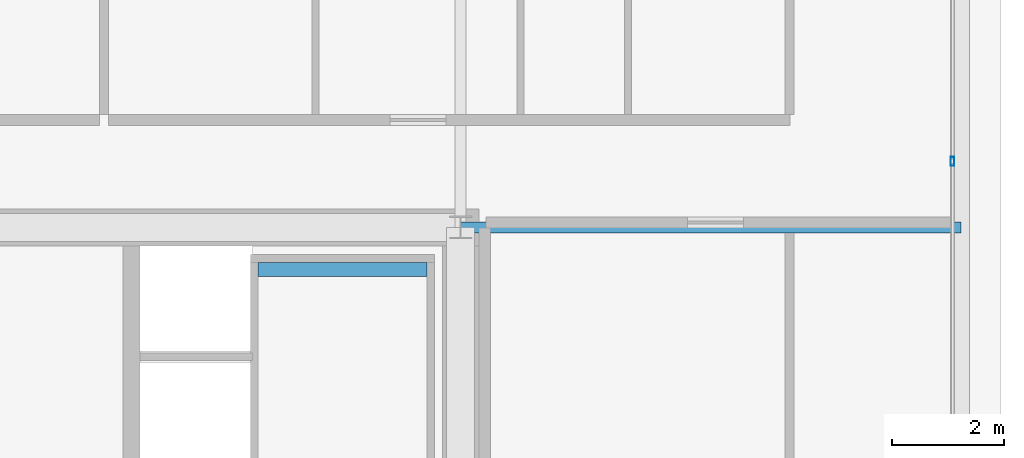
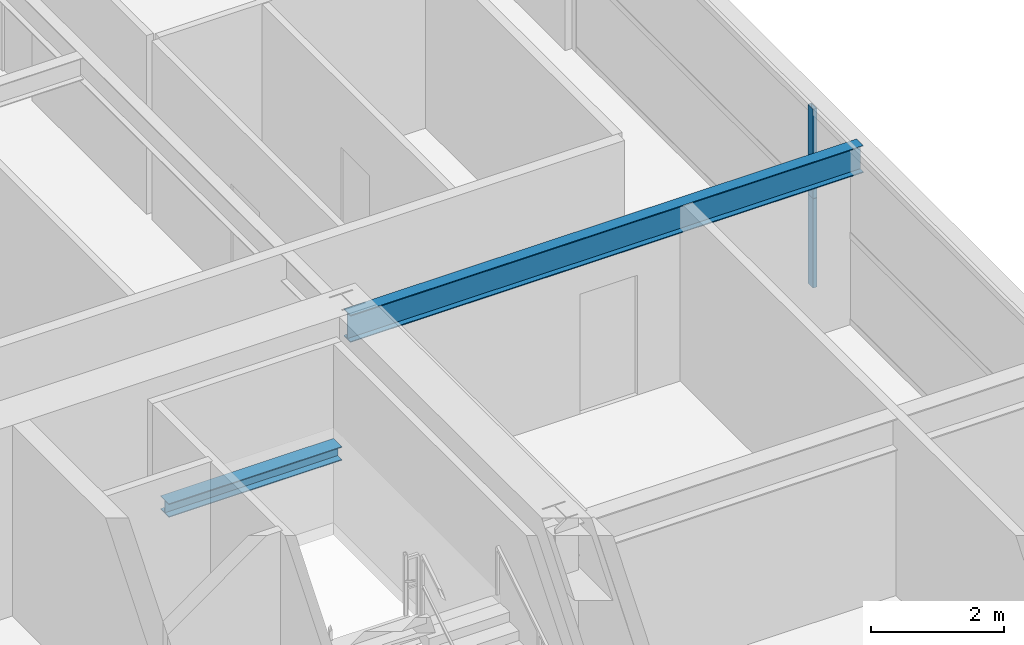
# One storey, part 21 of 38: 2 beams, 2 members, 1 element without a shape of its own.
"""IFC4 building model written with IfcOpenShell, lengths in metres."""

import ifcopenshell
import ifcopenshell.guid

model = None  # the IFC model being written
_history = None  # IfcOwnerHistory: only IFC2X3 demands one
_inside = {}  # id of a spatial element -> (the spatial element, [elements in it])
_under = {}  # id of a project, library or spatial element -> (it, [spatial elements below it])
_declared = {}  # id of a project -> (the project, [libraries it declares])
_typed = {}  # id of a type object -> (the type object, [elements of that type])
_made_of = {}  # id of a material, layer set ... -> (it, [elements and type objects made of it])


def new_model(schema):
    """Start an empty IFC model of exactly this schema.

    Asked for "IFC4X3", IfcOpenShell would pick the latest addendum, in which some entities
    have other attributes; the version numbers below select the first issue.
    IFC2X3 requires an IfcOwnerHistory on every rooted entity: one is made here for all.
    """
    global model, _history
    if schema == "IFC4X3":
        model = ifcopenshell.file(schema_version=(4, 3, 0, 0))
    else:
        model = ifcopenshell.file(schema=schema)
    _inside.clear()
    _under.clear()
    _declared.clear()
    _typed.clear()
    _made_of.clear()
    _history = None
    if model.schema == "IFC2X3":
        org = make("IfcOrganization", Name="unknown")
        user = make(
            "IfcPersonAndOrganization",
            ThePerson=make("IfcPerson", FamilyName="unknown"),
            TheOrganization=org,
        )
        app = make(
            "IfcApplication",
            ApplicationDeveloper=org,
            Version="unknown",
            ApplicationFullName="unknown",
            ApplicationIdentifier="unknown",
        )
        _history = make(
            "IfcOwnerHistory",
            OwningUser=user,
            OwningApplication=app,
            ChangeAction="ADDED",
            CreationDate=0,
        )
    return model


def make(cls, **values):
    """One entity of the class cls with the attributes given. An attribute that is None is left unset."""
    return model.create_entity(
        cls, **{name: value for name, value in values.items() if value is not None}
    )


def rooted(cls, **values):
    """An entity with a GlobalId (a new one), such as an element, a storey or a relation."""
    return make(cls, GlobalId=ifcopenshell.guid.new(), OwnerHistory=_history, **values)


def si_unit(unit_type, name, prefix=None):
    """IfcSIUnit, for example si_unit("LENGTHUNIT", "METRE", prefix="MILLI")."""
    return make("IfcSIUnit", UnitType=unit_type, Prefix=prefix, Name=name)


def assignment(units):
    """IfcUnitAssignment: the units of a project."""
    return None if units is None else make("IfcUnitAssignment", Units=units)


def point(xyz):
    """IfcCartesianPoint."""
    return None if xyz is None else make("IfcCartesianPoint", Coordinates=xyz)


def direction(xyz):
    """IfcDirection."""
    return None if xyz is None else make("IfcDirection", DirectionRatios=xyz)


def frame(location, z_axis=None, x_axis=None):
    """IfcAxis2Placement3D, a coordinate frame: its origin and axes. An axis left out is left unset."""
    return make(
        "IfcAxis2Placement3D",
        Location=point(location),
        Axis=direction(z_axis),
        RefDirection=direction(x_axis),
    )


def frame_2d(location, x_axis=None):
    """IfcAxis2Placement2D, a coordinate frame in the plane: its origin and x axis."""
    return make(
        "IfcAxis2Placement2D", Location=point(location), RefDirection=direction(x_axis)
    )


def origin():
    """The frame at (0, 0, 0) with its axes left unset."""
    return frame((0.0, 0.0, 0.0))


def origin_2d():
    """The frame at (0, 0) in the plane with its x axis left unset."""
    return frame_2d((0.0, 0.0))


def place(relative_to, where):
    """IfcLocalPlacement: puts the frame where relative to a parent placement (None: the world)."""
    return make(
        "IfcLocalPlacement", PlacementRelTo=relative_to, RelativePlacement=where
    )


def context(
    kind, dimensions, precision=None, world=None, true_north=None, identifier=None
):
    """IfcGeometricRepresentationContext, for example the 3D "Model" context."""
    return make(
        "IfcGeometricRepresentationContext",
        ContextIdentifier=identifier,
        ContextType=kind,
        CoordinateSpaceDimension=dimensions,
        Precision=precision,
        WorldCoordinateSystem=world,
        TrueNorth=true_north,
    )


def subcontext(parent, identifier, kind, view, scale=None):
    """IfcGeometricRepresentationSubContext, for example "Body" below "Model"."""
    return make(
        "IfcGeometricRepresentationSubContext",
        ContextIdentifier=identifier,
        ContextType=kind,
        ParentContext=parent,
        TargetScale=scale,
        TargetView=view,
    )


def project(units=None, contexts=None):
    """IfcProject with its units and contexts."""
    return rooted(
        "IfcProject",
        Name="project",
        RepresentationContexts=contexts,
        UnitsInContext=assignment(units),
    )


def spatial(cls, under=None, at=None, **own):
    """A site, building, storey or space (cls), placed at a placement, below another one or the project."""
    s = rooted(cls, ObjectPlacement=at, **own)
    if under is not None:
        _under.setdefault(under.id(), (under, []))[1].append(s)
    return s


def profile(cls, at=None, kind="AREA", **sizes):
    """A parametric profile (cls). Its sizes go by their IFC names, for example OverallWidth=200.0."""
    return make(cls, ProfileType=kind, Position=at, **sizes)


def hollow_rectangle(**sizes):
    """IfcRectangleHollowProfileDef."""
    return profile("IfcRectangleHollowProfileDef", **sizes)


def i_section(**sizes):
    """IfcIShapeProfileDef."""
    return profile("IfcIShapeProfileDef", **sizes)


def extrude(swept, where, along, depth):
    """IfcExtrudedAreaSolid: the profile swept, set in the frame where, extruded along a direction by depth."""
    return make(
        "IfcExtrudedAreaSolid",
        SweptArea=swept,
        Position=where,
        ExtrudedDirection=direction(along),
        Depth=depth,
    )


def shape(context_of_items, identifier, shape_type, items):
    """IfcShapeRepresentation: the items that make up one representation, for example the "Body"."""
    return make(
        "IfcShapeRepresentation",
        ContextOfItems=context_of_items,
        RepresentationIdentifier=identifier,
        RepresentationType=shape_type,
        Items=items,
    )


def source(mapping_origin, context_of_items, identifier, shape_type, items):
    """IfcRepresentationMap: a shape defined once, which mapped items show again and again."""
    return make(
        "IfcRepresentationMap",
        MappingOrigin=mapping_origin,
        MappedRepresentation=shape(context_of_items, identifier, shape_type, items),
    )


def transform(
    local_origin,
    x_axis=None,
    y_axis=None,
    z_axis=None,
    scale=None,
    scale2=None,
    scale3=None,
    uniform=True,
):
    """IfcCartesianTransformationOperator3D, or its non-uniform kind. x_axis, y_axis, z_axis: its Axis1, 2, 3."""
    if uniform:
        return make(
            "IfcCartesianTransformationOperator3D",
            Axis1=direction(x_axis),
            Axis2=direction(y_axis),
            LocalOrigin=point(local_origin),
            Scale=scale,
            Axis3=direction(z_axis),
        )
    return make(
        "IfcCartesianTransformationOperator3DnonUniform",
        Axis1=direction(x_axis),
        Axis2=direction(y_axis),
        LocalOrigin=point(local_origin),
        Scale=scale,
        Axis3=direction(z_axis),
        Scale2=scale2,
        Scale3=scale3,
    )


def mapped(mapping_source, mapping_target):
    """IfcMappedItem: shows the shape of a source again, moved by a transform."""
    return make(
        "IfcMappedItem", MappingSource=mapping_source, MappingTarget=mapping_target
    )


def material(Name=None, Category=None):
    """IfcMaterial."""
    return make("IfcMaterial", Name=Name, Category=Category)


def layer(
    of_material, thickness, ventilated=None, Name=None, Category=None, Priority=None
):
    """IfcMaterialLayer: one layer of a wall or slab, of a material (None: an air gap)."""
    return make(
        "IfcMaterialLayer",
        Material=of_material,
        LayerThickness=thickness,
        IsVentilated=ventilated,
        Name=Name,
        Category=Category,
        Priority=Priority,
    )


def layer_set(layers, Name=None):
    """IfcMaterialLayerSet."""
    return make("IfcMaterialLayerSet", MaterialLayers=layers, LayerSetName=Name)


def material_profile(
    of_material, cross_section, Name=None, Category=None, Priority=None
):
    """IfcMaterialProfile: a cross section and its material."""
    return make(
        "IfcMaterialProfile",
        Name=Name,
        Material=of_material,
        Profile=cross_section,
        Priority=Priority,
        Category=Category,
    )


def profile_set(profiles, Name=None, composite=None):
    """IfcMaterialProfileSet."""
    return make(
        "IfcMaterialProfileSet",
        Name=Name,
        MaterialProfiles=profiles,
        CompositeProfile=composite,
    )


def made_of(thing, what):
    """Note that an element or type object is made of a material, layer set ...; save() writes the relation."""
    if what is not None:
        _made_of.setdefault(what.id(), (what, []))[1].append(thing)
    return thing


def type_object(cls, material=None, **own):
    """A type object (cls), such as IfcWallType, which elements share."""
    return made_of(rooted(cls, **own), material)


def element(
    cls,
    number,
    at=None,
    inside=None,
    cuts=None,
    type_object=None,
    material=None,
    context=None,
    identifier="Body",
    shape_type=None,
    held_by="IfcProductDefinitionShape",
    body=None,
    shapes=None,
    **own,
):
    """One element of the class cls, such as IfcWall. Its Tag is "e" and its number.

    at: its placement. inside: the storey or other place that contains it. cuts: it is an
    opening in that element (IfcRelVoidsElement). A single representation is given by context,
    identifier, shape_type and body (its items); several are given by shapes. held_by: the class
    of the entity that holds the representations. save() writes the other relations.
    """
    e = rooted(cls, Tag="e%d" % number, ObjectPlacement=at, **own)
    if body is not None:
        shapes = [shape(context, identifier, shape_type, body)]
    if shapes is not None:
        e.Representation = make(held_by, Representations=shapes)
    if inside is not None:
        _inside.setdefault(inside.id(), (inside, []))[1].append(e)
    if cuts is not None:
        rooted(
            "IfcRelVoidsElement", RelatingBuildingElement=cuts, RelatedOpeningElement=e
        )
    if type_object is not None:
        _typed.setdefault(type_object.id(), (type_object, []))[1].append(e)
    return made_of(e, material)


def aggregate(whole, parts):
    """IfcRelAggregates: a whole, such as a stair, and the parts it consists of."""
    return rooted("IfcRelAggregates", RelatingObject=whole, RelatedObjects=parts)


def save(model, path):
    """Write the relations noted so far, then the file.

    IfcRelAggregates (storeys below a building ...), IfcRelContainedInSpatialStructure (elements
    in a storey), IfcRelDefinesByType, IfcRelAssociatesMaterial and IfcRelDeclares: one each for
    every whole, place, type object, material and project.
    """
    for whole, parts in _under.values():
        aggregate(whole, parts)
    for where, things in _inside.values():
        rooted(
            "IfcRelContainedInSpatialStructure",
            RelatedElements=things,
            RelatingStructure=where,
        )
    for kind, things in _typed.values():
        rooted("IfcRelDefinesByType", RelatedObjects=things, RelatingType=kind)
    for what, things in _made_of.values():
        rooted("IfcRelAssociatesMaterial", RelatedObjects=things, RelatingMaterial=what)
    for by, libraries in _declared.values():
        rooted("IfcRelDeclares", RelatingContext=by, RelatedDefinitions=libraries)
    model.write(path)


model = new_model("IFC4")

# Units and contexts
model_context = context("Model", 3, precision=1e-05, world=origin(), true_north=direction((0.0, 1.0)))
body_context = subcontext(model_context, "Body", "Model", "MODEL_VIEW")
ifc_project = project(units=[si_unit("LENGTHUNIT", "METRE"), si_unit("AREAUNIT", "SQUARE_METRE"), si_unit("VOLUMEUNIT", "CUBIC_METRE"), si_unit("PLANEANGLEUNIT", "RADIAN"), si_unit("MASSUNIT", "GRAM", prefix="KILO"), si_unit("THERMODYNAMICTEMPERATUREUNIT", "KELVIN"), si_unit("POWERUNIT", "WATT")], contexts=[model_context])

# Site, building, storey
site_placement = place(None, origin())
site = spatial("IfcSite", under=ifc_project, at=site_placement, CompositionType="ELEMENT")
building_placement = place(site_placement, origin())
building = spatial("IfcBuilding", under=site, at=building_placement, Name="Yuzanri Waterfront Tower", CompositionType="ELEMENT")
storey_placement = place(building_placement, frame((0.0, 0.0, 202.0)))
storey = spatial("IfcBuildingStorey", under=building, at=storey_placement, Name="L53", CompositionType="ELEMENT", Elevation=202.0)

# Beam
ifc_material_1 = material(Name="Steel Q355B", Category="steel")
ifc_material_profile_1 = material_profile(ifc_material_1, i_section(OverallWidth=0.199951171875, OverallDepth=0.5, WebThickness=0.010009765625, FlangeThickness=0.01611328125, at=origin_2d()), Name="HN 500x200x10x16")
ifc_profile_set_1 = profile_set([ifc_material_profile_1], Name="Steel Q355B")
beam_type_1 = type_object("IfcBeamType", Name="Secondary Floor Beam Q355B HN 500x200", PredefinedType="BEAM", material=ifc_profile_set_1)
shared_shape_1 = source(origin(), body_context, "Body", "SweptSolid", [
    extrude(i_section(OverallWidth=0.199951171875, OverallDepth=0.5, WebThickness=0.010009765625, FlangeThickness=0.01611328125, at=origin_2d()), origin(), (0.0, 0.0, 1.0), 8.900146484375),
])
beam_1_placement = place(storey_placement, frame((50.199951171875, 32.199951171875, 3.030029296875), z_axis=(1.0, 0.0, 0.0), x_axis=(0.0, 1.0, 0.0)))
element("IfcBeam", 1, at=beam_1_placement, inside=storey, type_object=beam_type_1, Name="L53 East-North Core Line Beam", PredefinedType="BEAM", context=body_context, shape_type="MappedRepresentation", body=[
    mapped(shared_shape_1, transform((0.0, 0.0, 0.0), scale=1.0)),
])

# Curtain wall, members
ifc_material_2 = material(Name="Anodized Architectural Bronze", Category="metal")
ifc_layer = layer(ifc_material_2, 0.159912109375)
ifc_layer_set = layer_set([ifc_layer], Name="Anodized Architectural Bronze")
curtain_wall_type = type_object("IfcCurtainWallType", Name="Anodized Bronze Mid-Rise Residential Acoustic Unitized Curtain Wall 7200", PredefinedType="NOTDEFINED", material=ifc_layer_set)
curtain_wall_placement = place(storey_placement, origin())
curtain_wall = element("IfcCurtainWall", 2, at=curtain_wall_placement, inside=storey, type_object=curtain_wall_type, Name="L53 Curtain Wall CW-L53-ER", PredefinedType="NOTDEFINED")
ifc_material_3 = material(Name="Anodized Architectural Bronze", Category="metal")
ifc_material_profile_2 = material_profile(ifc_material_3, hollow_rectangle(XDim=0.06494140625, YDim=0.159912109375, WallThickness=0.00341796875, at=origin_2d()), Name="CWM 65x160")
ifc_profile_set_2 = profile_set([ifc_material_profile_2], Name="Anodized Architectural Bronze")
member_type = type_object("IfcMemberType", Name="Anodized Bronze Upper-Zone Curtain-Wall Mullion 65x160", PredefinedType="MULLION", material=ifc_profile_set_2)
shared_shape_2 = source(origin(), body_context, "Body", "SweptSolid", [
    extrude(hollow_rectangle(XDim=0.06494140625, YDim=0.159912109375, WallThickness=0.00341796875, at=origin_2d()), origin(), (0.0, 0.0, 1.0), 1.637939453125),
])
member_1_placement = place(storey_placement, frame((58.949951171875, 33.375, 0.0), z_axis=(0.0, 0.0, 1.0), x_axis=(1.0, 0.0, 0.0)))
member_1 = element("IfcMember", 3, at=member_1_placement, type_object=member_type, Name="CW-L53-ER Lower Mullion 01", PredefinedType="MULLION", context=body_context, shape_type="MappedRepresentation", body=[
    mapped(shared_shape_2, transform((0.0, 0.0, 0.0), scale=1.0)),
])
member_2_placement = place(storey_placement, frame((58.949951171875, 33.375, 1.64208984375), z_axis=(0.0, 0.0, 1.0), x_axis=(1.0, 0.0, 0.0)))
member_2 = element("IfcMember", 4, at=member_2_placement, type_object=member_type, Name="CW-L53-ER Upper Mullion 01", PredefinedType="MULLION", context=body_context, shape_type="MappedRepresentation", body=[
    mapped(shared_shape_2, transform((0.0, 0.0, 0.0), scale=1.0)),
])
aggregate(curtain_wall, [member_1, member_2])

# Beam
ifc_material_4 = material(Name="Steel Q355B", Category="steel")
ifc_material_profile_3 = material_profile(ifc_material_4, i_section(OverallWidth=0.25, OverallDepth=0.25, WebThickness=0.009033203125, FlangeThickness=0.013916015625, at=origin_2d()), Name="HW 250x250x9x14")
ifc_profile_set_3 = profile_set([ifc_material_profile_3], Name="Steel Q355B")
beam_type_2 = type_object("IfcBeamType", Name="Stair Landing Support Beam Q355B HW 250x250", PredefinedType="BEAM", material=ifc_profile_set_3)
shared_shape_3 = source(origin(), body_context, "Body", "SweptSolid", [
    extrude(i_section(OverallWidth=0.25, OverallDepth=0.25, WebThickness=0.009033203125, FlangeThickness=0.013916015625, at=origin_2d()), origin(), (0.0, 0.0, 1.0), 3.0),
])
beam_2_placement = place(storey_placement, frame((46.60009765625, 31.449951171875, 1.425048828125), z_axis=(1.0, 0.0, 0.0), x_axis=(0.0, 1.0, 0.0)))
element("IfcBeam", 5, at=beam_2_placement, inside=storey, type_object=beam_type_2, Name="L53 Stair Landing Support Beam ST-02-L53-L1-2", PredefinedType="BEAM", context=body_context, shape_type="MappedRepresentation", body=[
    mapped(shared_shape_3, transform((0.0, 0.0, 0.0), scale=1.0)),
])

save(model, "model.ifc")
